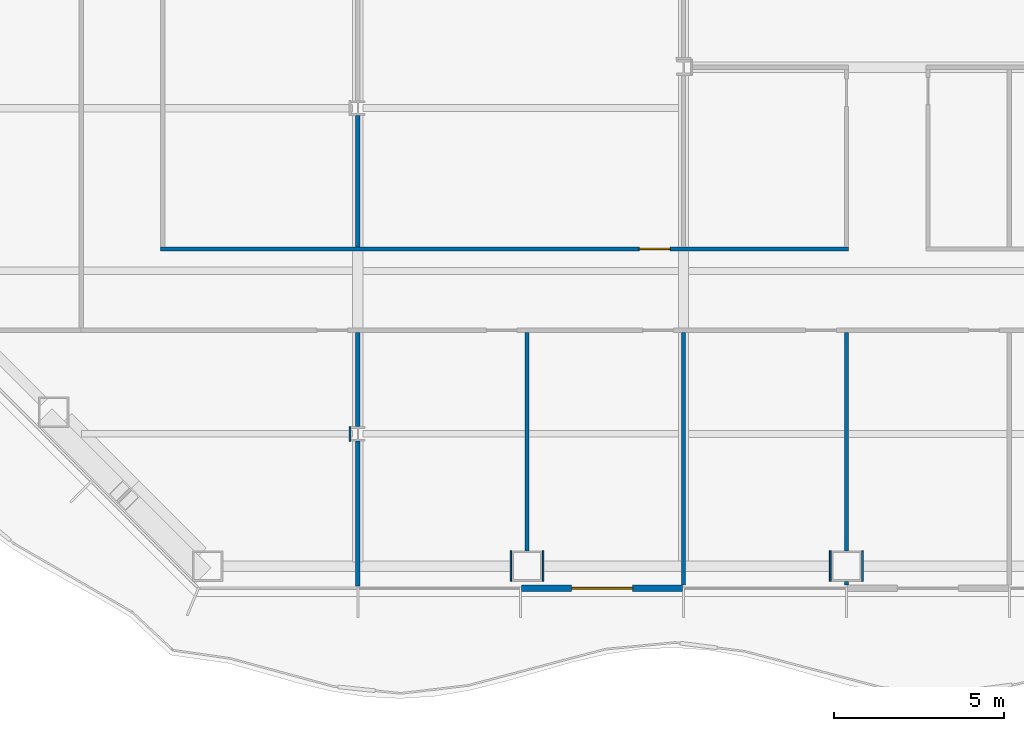
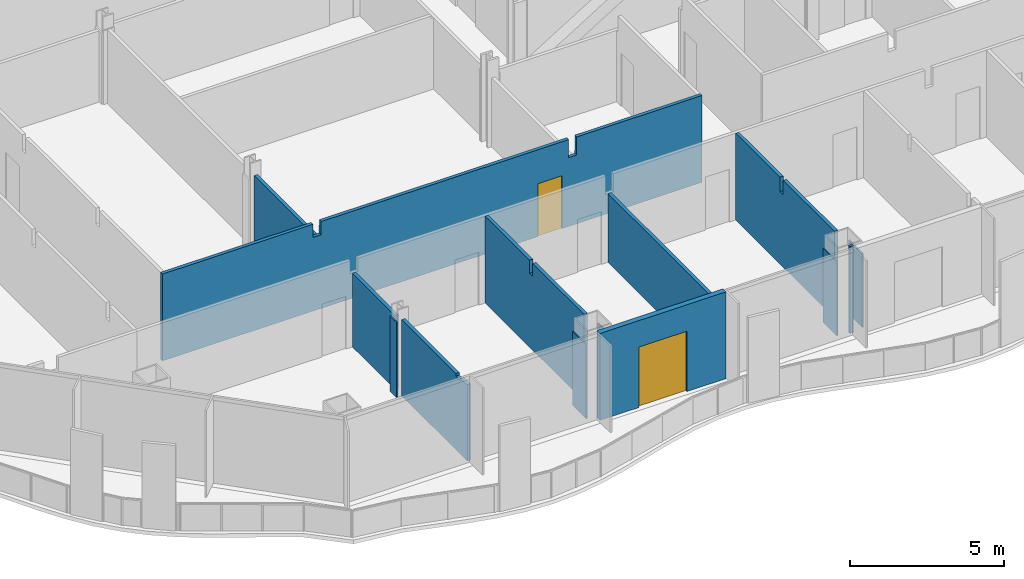
# One storey, part 6 of 21: 14 walls, 2 doors, 2 openings.
"""IFC4 building model written with IfcOpenShell, lengths in metres."""

from ifc_helpers import new_model, si_unit, direction, frame, frame_2d, origin, place, context, subcontext, project, spatial, polyline, rectangle, outline, extrude, material, layer, layer_set, type_object, element, fill, save


model = new_model("IFC4")

# Units and contexts
model_context = context("Model", 3, precision=1e-05, world=origin(), true_north=direction((0.0, 1.0)))
body_context = subcontext(model_context, "Body", "Model", "MODEL_VIEW")
ifc_project = project(units=[si_unit("LENGTHUNIT", "METRE"), si_unit("AREAUNIT", "SQUARE_METRE"), si_unit("VOLUMEUNIT", "CUBIC_METRE"), si_unit("PLANEANGLEUNIT", "RADIAN"), si_unit("MASSUNIT", "GRAM", prefix="KILO")], contexts=[model_context])

# Site, building, storey
site_placement = place(None, origin())
site = spatial("IfcSite", under=ifc_project, at=site_placement, CompositionType="ELEMENT")
building_placement = place(site_placement, origin())
building = spatial("IfcBuilding", under=site, at=building_placement, Name="Cairn Pilgrim Tower", CompositionType="ELEMENT")
storey_placement = place(building_placement, frame((0.0, 0.0, 69.0)))
storey = spatial("IfcBuildingStorey", under=building, at=storey_placement, Name="L15", CompositionType="ELEMENT", Elevation=69.0)

# Wall, opening, door
ifc_material_1 = material(Name="Bronze anodised aluminium insulated sandwich panel with mineral wool fill", Category="aluminium")
ifc_layer_1 = layer(ifc_material_1, 0.199951171875)
ifc_layer_set_1 = layer_set([ifc_layer_1], Name="BRONZE INFILL FRAME WALL 200")
wall_type_1 = type_object("IfcWallType", Name="BRONZE INFILL FRAME WALL 200", PredefinedType="NOTDEFINED", material=ifc_layer_set_1)
wall_1_placement = place(storey_placement, frame((-9.570068359375, -23.75, 0.0), z_axis=(0.0, 0.0, 1.0), x_axis=(1.0, 0.0, 0.0)))
wall_1 = element("IfcWall", 1, at=wall_1_placement, inside=storey, type_object=wall_type_1, Name="Bronze infill frame wall IW-S3", PredefinedType="NOTDEFINED", context=body_context, shape_type="SweptSolid", body=[
    extrude(rectangle(XDim=4.739990234375, YDim=0.199951171875, at=frame_2d((2.3701171875, 0.0))), origin(), (0.0, 0.0, 1.0), 3.449951171875),
])
opening_1_placement = place(wall_1_placement, frame((1.469970703125, 0.0, 0.0)))
opening_1 = element("IfcOpeningElement", 2, at=opening_1_placement, cuts=wall_1, Name="Opening 1503B", PredefinedType="OPENING", context=body_context, shape_type="SweptSolid", body=[
    extrude(rectangle(XDim=1.800048828125, YDim=2.39990234375, at=frame_2d((0.89990234375, 1.199951171875))), frame((0.0, 0.10986328125, 0.0), z_axis=(0.0, -1.0, 0.0), x_axis=(1.0, 0.0, 0.0)), (0.0, 0.0, 1.0), 0.219970703125),
])
ifc_material_2 = material(Name="Bronze anodised aluminium frame with tinted low-E glass", Category="aluminium")
door_type_1 = type_object("IfcDoorType", Name="BALCONY SLIDING DOOR 1800x2400", OperationType="DOUBLE_DOOR_SLIDING", PredefinedType="DOOR", material=ifc_material_2)
door_1_placement = place(opening_1_placement, origin())
door_1 = element("IfcDoor", 3, at=door_1_placement, inside=storey, type_object=door_type_1, Name="Balcony sliding door 1503B", OperationType="SINGLE_SWING_LEFT", OverallHeight=2.39990234375, OverallWidth=1.800048828125, PredefinedType="DOOR", context=body_context, shape_type="SweptSolid", body=[
    extrude(rectangle(XDim=1.800048828125, YDim=2.39990234375, at=frame_2d((0.89990234375, 1.199951171875))), frame((0.0, 0.02490234375, 0.0), z_axis=(0.0, -1.0, 0.0), x_axis=(1.0, 0.0, 0.0)), (0.0, 0.0, 1.0), 0.050048828125),
])
fill(opening_1, door_1)

# Walls
ifc_material_3 = material(Name="Gypsum partition")
ifc_layer_2 = layer(ifc_material_3, 0.125)
ifc_layer_set_2 = layer_set([ifc_layer_2], Name="PARTITION 125 DRYWALL EI 60")
wall_type_2 = type_object("IfcWallType", Name="PARTITION 125 DRYWALL EI 60", PredefinedType="PARTITIONING", material=ifc_layer_set_2)
wall_2_placement = place(storey_placement, frame((-14.39990234375, -23.68994140625, 0.0), z_axis=(0.0, 0.0, 1.0), x_axis=(0.0, 1.0, 0.0)))
element("IfcWall", 4, at=wall_2_placement, inside=storey, type_object=wall_type_2, Name="PARTITION W001", PredefinedType="PARTITIONING", context=body_context, shape_type="SweptSolid", body=[
    extrude(outline(polyline([(0.0, 0.0), (4.27734375, 0.0), (4.277587890625, 3.030029296875), (0.739990234375, 3.030029296875), (0.738037109375, 2.929931640625), (0.43994140625, 2.929931640625), (0.43798828125, 3.030029296875), (0.0, 3.030029296875), (0.0, 0.0)])), frame((0.0, 0.0625, 0.0), z_axis=(0.0, -1.0, 0.0), x_axis=(1.0, 0.0, 0.0)), (0.0, 0.0, 1.0), 0.125),
])
wall_3_placement = place(storey_placement, frame((-4.800048828125, -23.64990234375, 0.0), z_axis=(0.0, 0.0, 1.0), x_axis=(0.0, 1.0, 0.0)))
element("IfcWall", 5, at=wall_3_placement, inside=storey, type_object=wall_type_2, Name="PARTITION W002", PredefinedType="PARTITIONING", context=body_context, shape_type="SweptSolid", body=[
    extrude(rectangle(XDim=7.4375, YDim=0.125, at=frame_2d((3.71875, 0.0))), origin(), (0.0, 0.0, 1.0), 2.72998046875),
])
wall_4_placement = place(storey_placement, frame((0.0, -23.64990234375, 0.0), z_axis=(0.0, 0.0, 1.0), x_axis=(0.0, 1.0, 0.0)))
element("IfcWall", 6, at=wall_4_placement, inside=storey, type_object=wall_type_2, Name="PARTITION W003", PredefinedType="PARTITIONING", context=body_context, shape_type="SweptSolid", body=[
    extrude(rectangle(XDim=0.099853515625, YDim=0.125, at=frame_2d((0.0498046875, 0.0))), origin(), (0.0, 0.0, 1.0), 3.449951171875),
])
wall_5_placement = place(storey_placement, frame((0.0, -22.64990234375, 0.0), z_axis=(0.0, 0.0, 1.0), x_axis=(0.0, 1.0, 0.0)))
element("IfcWall", 7, at=wall_5_placement, inside=storey, type_object=wall_type_2, Name="PARTITION W007", PredefinedType="PARTITIONING", context=body_context, shape_type="SweptSolid", body=[
    extrude(outline(polyline([(0.0, 0.0), (6.4375, 0.0), (6.4375, 3.449951171875), (3.554931640625, 3.449951171875), (3.552978515625, 2.8798828125), (3.344970703125, 2.8798828125), (3.343017578125, 3.449951171875), (0.0, 3.449951171875), (0.0, 0.0)])), frame((0.0, 0.0625, 0.0), z_axis=(0.0, -1.0, 0.0), x_axis=(1.0, 0.0, 0.0)), (0.0, 0.0, 1.0), 0.125),
])
wall_6_placement = place(storey_placement, frame((-9.4140625, -22.64990234375, 0.0), z_axis=(0.0, 0.0, 1.0), x_axis=(0.0, 1.0, 0.0)))
element("IfcWall", 8, at=wall_6_placement, inside=storey, type_object=wall_type_2, Name="PARTITION W008", PredefinedType="PARTITIONING", context=body_context, shape_type="SweptSolid", body=[
    extrude(outline(polyline([(0.0, 0.0), (6.4375, 0.0), (6.4375, 3.449951171875), (3.550048828125, 3.449951171875), (3.548095703125, 2.929931640625), (3.35009765625, 2.929931640625), (3.347900390625, 3.449951171875), (0.0, 3.449951171875), (0.0, 0.0)])), frame((0.0, 0.0625, 0.0), z_axis=(0.0, -1.0, 0.0), x_axis=(1.0, 0.0, 0.0)), (0.0, 0.0, 1.0), 0.125),
])
wall_7_placement = place(storey_placement, frame((-14.39990234375, -18.987548828125, 0.0), z_axis=(0.0, 0.0, 1.0), x_axis=(0.0, 1.0, 0.0)))
element("IfcWall", 9, at=wall_7_placement, inside=storey, type_object=wall_type_2, Name="PARTITION W011", PredefinedType="PARTITIONING", context=body_context, shape_type="SweptSolid", body=[
    extrude(rectangle(XDim=2.775146484375, YDim=0.125, at=frame_2d((1.3876953125, 0.0))), origin(), (0.0, 0.0, 1.0), 2.929931640625),
])

# Wall, opening, door
wall_8_placement = place(storey_placement, frame((-20.21240234375, -13.75, 0.0), z_axis=(0.0, 0.0, 1.0), x_axis=(1.0, 0.0, 0.0)))
wall_8 = element("IfcWall", 10, at=wall_8_placement, inside=storey, type_object=wall_type_2, Name="PARTITION W016", PredefinedType="PARTITIONING", context=body_context, shape_type="SweptSolid", body=[
    extrude(outline(polyline([(0.0, 0.0), (20.27490234375, 0.0), (20.27490234375, 3.449951171875), (15.5625, 3.449951171875), (15.560546875, 2.72998046875), (15.262451171875, 2.72998046875), (15.260498046875, 3.449951171875), (5.96240234375, 3.449951171875), (5.96044921875, 2.929931640625), (5.66259765625, 2.929931640625), (5.660400390625, 3.449951171875), (0.0, 3.449951171875), (0.0, 0.0)])), frame((0.0, 0.0625, 0.0), z_axis=(0.0, -1.0, 0.0), x_axis=(1.0, 0.0, 0.0)), (0.0, 0.0, 1.0), 0.125),
])
opening_2_placement = place(wall_8_placement, frame((14.112548828125, 0.0, 0.0)))
opening_2 = element("IfcOpeningElement", 11, at=opening_2_placement, cuts=wall_8, Name="Opening 1529", PredefinedType="OPENING", context=body_context, shape_type="SweptSolid", body=[
    extrude(rectangle(XDim=0.89990234375, YDim=2.10009765625, at=frame_2d((0.449951171875, 1.050048828125))), frame((0.0, 0.072509765625, 0.0), z_axis=(0.0, -1.0, 0.0), x_axis=(1.0, 0.0, 0.0)), (0.0, 0.0, 1.0), 0.14501953125),
])
ifc_material_4 = material(Name="Steel-faced fire door leaf", Category="steel")
door_type_2 = type_object("IfcDoorType", Name="FIRE DOOR 900x2100 FD30S", OperationType="NOTDEFINED", PredefinedType="DOOR", material=ifc_material_4)
door_2_placement = place(opening_2_placement, origin())
door_2 = element("IfcDoor", 12, at=door_2_placement, inside=storey, type_object=door_type_2, Name="DOOR 1529", OperationType="SINGLE_SWING_RIGHT", OverallHeight=2.10009765625, OverallWidth=0.89990234375, PredefinedType="DOOR", context=body_context, shape_type="SweptSolid", body=[
    extrude(rectangle(XDim=0.89990234375, YDim=2.10009765625, at=frame_2d((0.449951171875, 1.050048828125))), frame((0.0, 0.02490234375, 0.0), z_axis=(0.0, -1.0, 0.0), x_axis=(1.0, 0.0, 0.0)), (0.0, 0.0, 1.0), 0.050048828125),
])
fill(opening_2, door_2)

# Walls
wall_9_placement = place(storey_placement, frame((-14.39990234375, -13.6875, 0.0), z_axis=(0.0, 0.0, 1.0), x_axis=(0.0, 1.0, 0.0)))
element("IfcWall", 13, at=wall_9_placement, inside=storey, type_object=wall_type_2, Name="PARTITION W019", PredefinedType="PARTITIONING", context=body_context, shape_type="SweptSolid", body=[
    extrude(rectangle(XDim=3.875, YDim=0.125, at=frame_2d((1.9375, 0.0))), origin(), (0.0, 0.0, 1.0), 2.929931640625),
])
ifc_layer_3 = layer(ifc_material_3, 0.050048828125)
ifc_layer_set_3 = layer_set([ifc_layer_3], Name="PARTITION 50 DRYWALL EI 60")
wall_type_3 = type_object("IfcWallType", Name="PARTITION 50 DRYWALL EI 60", PredefinedType="PARTITIONING", material=ifc_layer_set_3)
wall_10_placement = place(storey_placement, frame((-14.62939453125, -19.41259765625, 0.0), z_axis=(0.0, 0.0, 1.0), x_axis=(0.0, 1.0, 0.0)))
element("IfcWall", 14, at=wall_10_placement, inside=storey, type_object=wall_type_3, Name="COLUMN CASING WC01", PredefinedType="PARTITIONING", context=body_context, shape_type="SweptSolid", body=[
    extrude(rectangle(XDim=0.425048828125, YDim=0.050048828125, at=frame_2d((0.21240234375, 0.0))), origin(), (0.0, 0.0, 1.0), 2.97998046875),
])
for number, where, z_axis, x_axis, name in (
    (15, (-0.47509765625, -23.550048828125, 0.0), (0.0, 0.0, 1.0), (0.0, 1.0, 0.0), "COLUMN CASING WC02"),
    (16, (0.47509765625, -23.550048828125, 0.0), (0.0, 0.0, 1.0), (0.0, 1.0, 0.0), "COLUMN CASING WC03"),
    (17, (-9.888671875, -23.550048828125, 0.0), (0.0, 0.0, 1.0), (0.0, 1.0, 0.0), "COLUMN CASING WC06"),
    (18, (-8.938720703125, -23.550048828125, 0.0), (0.0, 0.0, 1.0), (0.0, 1.0, 0.0), "COLUMN CASING WC07"),
):
    element("IfcWall", number, at=place(storey_placement, frame(where, z_axis=z_axis, x_axis=x_axis)), inside=storey, type_object=wall_type_3, Name=name, PredefinedType="PARTITIONING", context=body_context, shape_type="SweptSolid", body=[
        extrude(rectangle(XDim=0.900146484375, YDim=0.050048828125, at=frame_2d((0.4501953125, 0.0))), origin(), (0.0, 0.0, 1.0), 2.929931640625),
    ])

save(model, "model.ifc")
